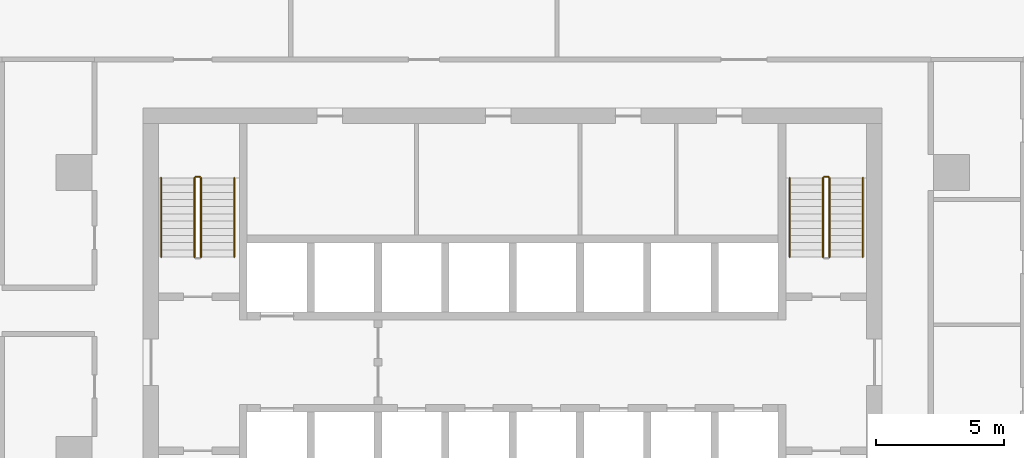
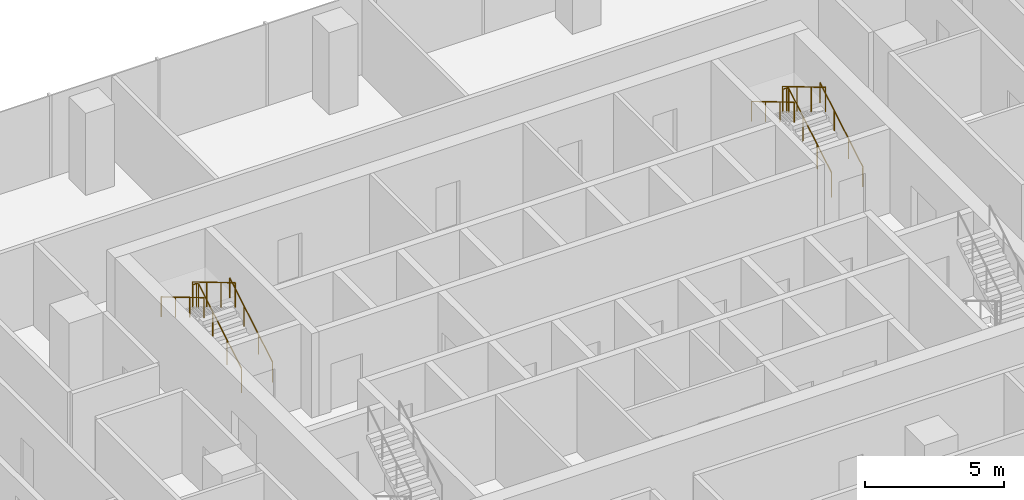
# One storey, part 15 of 15: 8 railings.
"""IFC4 building model written with IfcOpenShell, lengths in metres."""

from ifc_helpers import new_model, si_unit, direction, frame, origin, origin_2d, place, context, subcontext, project, spatial, circle, extrude, material, type_object, element, save


model = new_model("IFC4")

# Units and contexts
model_context = context("Model", 3, precision=1e-05, world=origin(), true_north=direction((0.0, 1.0)))
body_context = subcontext(model_context, "Body", "Model", "MODEL_VIEW")
ifc_project = project(units=[si_unit("LENGTHUNIT", "METRE"), si_unit("AREAUNIT", "SQUARE_METRE"), si_unit("VOLUMEUNIT", "CUBIC_METRE"), si_unit("PLANEANGLEUNIT", "RADIAN"), si_unit("MASSUNIT", "GRAM", prefix="KILO")], contexts=[model_context])

# Site, building, storey
site_placement = place(None, origin())
site = spatial("IfcSite", under=ifc_project, at=site_placement, CompositionType="ELEMENT")
building_placement = place(site_placement, origin())
building = spatial("IfcBuilding", under=site, at=building_placement, Name="Mopane Tessera Tower", CompositionType="ELEMENT")
storey_placement = place(building_placement, frame((0.0, 0.0, 177.0)))
storey = spatial("IfcBuildingStorey", under=building, at=storey_placement, Name="L36", CompositionType="ELEMENT", Elevation=177.0)

# Railings
ifc_material_1 = material(Name="Powder-coated steel balustrade", Category="steel")
railing_type_1 = type_object("IfcRailingType", Name="Escape stair guard 1100 mm", PredefinedType="GUARDRAIL", material=ifc_material_1)
railing_1_placement = place(storey_placement, frame((-12.14990234375, 7.699951171875, 0.166748046875)))
element("IfcRailing", 1, at=railing_1_placement, inside=storey, type_object=railing_type_1, Name="L36 ST2 stair guard 1", PredefinedType="GUARDRAIL", context=body_context, shape_type="SweptSolid", body=[
    extrude(circle(Radius=0.02392578125, at=origin_2d()), frame((0.0, 0.0, 1.076171875), z_axis=(0.0, 0.859308565015, 0.511457515432), x_axis=(-1.0, 0.0, 0.0)), (0.0, 0.0, 1.0), 3.58447265625),
    extrude(circle(Radius=0.02392578125, at=origin_2d()), frame((0.0, 3.080078125, 2.9091796875), z_axis=(-0.707106781187, 0.707106781187, 0.0), x_axis=(-0.707106781187, -0.707106781187, 0.0)), (0.0, 0.0, 1.0), 0.07080078125),
    extrude(circle(Radius=0.02392578125, at=origin_2d()), frame((-0.050048828125, 3.130126953125, 2.9091796875), z_axis=(-1.0, 0.0, 0.0), x_axis=(0.0, -1.0, 0.0)), (0.0, 0.0, 1.0), 0.150146484375),
    extrude(circle(Radius=0.02099609375, at=origin_2d()), origin(), (0.0, 0.0, 1.0), 1.052001953125),
    extrude(circle(Radius=0.02099609375, at=origin_2d()), frame((0.0, 1.026611328125, 0.611083984375)), (0.0, 0.0, 1.0), 1.052001953125),
    extrude(circle(Radius=0.02099609375, at=origin_2d()), frame((0.0, 2.053466796875, 1.22216796875)), (0.0, 0.0, 1.0), 1.052001953125),
    extrude(circle(Radius=0.02099609375, at=origin_2d()), frame((0.0, 3.080078125, 1.833251953125)), (0.0, 0.0, 1.0), 1.052001953125),
    extrude(circle(Radius=0.02099609375, at=origin_2d()), frame((-0.050048828125, 3.130126953125, 1.833251953125)), (0.0, 0.0, 1.0), 1.052001953125),
    extrude(circle(Radius=0.02099609375, at=origin_2d()), frame((-0.2001953125, 3.130126953125, 1.833251953125)), (0.0, 0.0, 1.0), 1.052001953125),
])
railing_2_placement = place(storey_placement, frame((-12.39990234375, 10.780029296875, 2.166748046875)))
element("IfcRailing", 2, at=railing_2_placement, inside=storey, type_object=railing_type_1, Name="L36 ST2 stair guard 2", PredefinedType="GUARDRAIL", context=body_context, shape_type="SweptSolid", body=[
    extrude(circle(Radius=0.02392578125, at=origin_2d()), frame((0.0, 0.0, 1.076171875), z_axis=(0.0, -0.859308565015, 0.511457515432), x_axis=(1.0, 0.0, 0.0)), (0.0, 0.0, 1.0), 3.58447265625),
    extrude(circle(Radius=0.02099609375, at=origin_2d()), origin(), (0.0, 0.0, 1.0), 1.052001953125),
    extrude(circle(Radius=0.02099609375, at=origin_2d()), frame((0.0, -1.026611328125, 0.611083984375)), (0.0, 0.0, 1.0), 1.052001953125),
    extrude(circle(Radius=0.02099609375, at=origin_2d()), frame((0.0, -2.053466796875, 1.22216796875)), (0.0, 0.0, 1.0), 1.052001953125),
    extrude(circle(Radius=0.02099609375, at=origin_2d()), frame((0.0, -3.080078125, 1.833251953125)), (0.0, 0.0, 1.0), 1.052001953125),
])
railing_3_placement = place(storey_placement, frame((12.35009765625, 7.699951171875, 0.166748046875)))
element("IfcRailing", 3, at=railing_3_placement, inside=storey, type_object=railing_type_1, Name="L36 ST4 stair guard 1", PredefinedType="GUARDRAIL", context=body_context, shape_type="SweptSolid", body=[
    extrude(circle(Radius=0.02392578125, at=origin_2d()), frame((0.0, 0.0, 1.076171875), z_axis=(0.0, 0.859308565015, 0.511457515432), x_axis=(-1.0, 0.0, 0.0)), (0.0, 0.0, 1.0), 3.58447265625),
    extrude(circle(Radius=0.02392578125, at=origin_2d()), frame((0.0, 3.080078125, 2.9091796875), z_axis=(-0.707106781187, 0.707106781187, 0.0), x_axis=(-0.707106781187, -0.707106781187, 0.0)), (0.0, 0.0, 1.0), 0.07080078125),
    extrude(circle(Radius=0.02392578125, at=origin_2d()), frame((-0.050048828125, 3.130126953125, 2.9091796875), z_axis=(-1.0, 0.0, 0.0), x_axis=(0.0, -1.0, 0.0)), (0.0, 0.0, 1.0), 0.150146484375),
    extrude(circle(Radius=0.02099609375, at=origin_2d()), origin(), (0.0, 0.0, 1.0), 1.052001953125),
    extrude(circle(Radius=0.02099609375, at=origin_2d()), frame((0.0, 1.026611328125, 0.611083984375)), (0.0, 0.0, 1.0), 1.052001953125),
    extrude(circle(Radius=0.02099609375, at=origin_2d()), frame((0.0, 2.053466796875, 1.22216796875)), (0.0, 0.0, 1.0), 1.052001953125),
    extrude(circle(Radius=0.02099609375, at=origin_2d()), frame((0.0, 3.080078125, 1.833251953125)), (0.0, 0.0, 1.0), 1.052001953125),
    extrude(circle(Radius=0.02099609375, at=origin_2d()), frame((-0.050048828125, 3.130126953125, 1.833251953125)), (0.0, 0.0, 1.0), 1.052001953125),
    extrude(circle(Radius=0.02099609375, at=origin_2d()), frame((-0.2001953125, 3.130126953125, 1.833251953125)), (0.0, 0.0, 1.0), 1.052001953125),
])
railing_4_placement = place(storey_placement, frame((12.10009765625, 10.780029296875, 2.166748046875)))
element("IfcRailing", 4, at=railing_4_placement, inside=storey, type_object=railing_type_1, Name="L36 ST4 stair guard 2", PredefinedType="GUARDRAIL", context=body_context, shape_type="SweptSolid", body=[
    extrude(circle(Radius=0.02392578125, at=origin_2d()), frame((0.0, 0.0, 1.076171875), z_axis=(0.0, -0.859308565015, 0.511457515432), x_axis=(1.0, 0.0, 0.0)), (0.0, 0.0, 1.0), 3.58447265625),
    extrude(circle(Radius=0.02099609375, at=origin_2d()), origin(), (0.0, 0.0, 1.0), 1.052001953125),
    extrude(circle(Radius=0.02099609375, at=origin_2d()), frame((0.0, -1.026611328125, 0.611083984375)), (0.0, 0.0, 1.0), 1.052001953125),
    extrude(circle(Radius=0.02099609375, at=origin_2d()), frame((0.0, -2.053466796875, 1.22216796875)), (0.0, 0.0, 1.0), 1.052001953125),
    extrude(circle(Radius=0.02099609375, at=origin_2d()), frame((0.0, -3.080078125, 1.833251953125)), (0.0, 0.0, 1.0), 1.052001953125),
])
ifc_material_2 = material(Name="Powder-coated steel balustrade", Category="steel")
railing_type_2 = type_object("IfcRailingType", Name="Escape stair handrail 900 mm", PredefinedType="HANDRAIL", material=ifc_material_2)
railing_5_placement = place(storey_placement, frame((-10.85009765625, 7.699951171875, 0.166748046875)))
element("IfcRailing", 5, at=railing_5_placement, inside=storey, type_object=railing_type_2, Name="L36 ST2 stair handrail 1", PredefinedType="HANDRAIL", context=body_context, shape_type="SweptSolid", body=[
    extrude(circle(Radius=0.02392578125, at=origin_2d()), frame((0.0, 0.0, 0.8759765625), z_axis=(0.0, 0.859308565015, 0.511457515432), x_axis=(-1.0, 0.0, 0.0)), (0.0, 0.0, 1.0), 3.58447265625),
    extrude(circle(Radius=0.02099609375, at=origin_2d()), origin(), (0.0, 0.0, 1.0), 0.851806640625),
    extrude(circle(Radius=0.02099609375, at=origin_2d()), frame((0.0, 1.026611328125, 0.611083984375)), (0.0, 0.0, 1.0), 0.851806640625),
    extrude(circle(Radius=0.02099609375, at=origin_2d()), frame((0.0, 2.053466796875, 1.22216796875)), (0.0, 0.0, 1.0), 0.851806640625),
    extrude(circle(Radius=0.02099609375, at=origin_2d()), frame((0.0, 3.080078125, 1.833251953125)), (0.0, 0.0, 1.0), 0.851806640625),
])
railing_6_placement = place(storey_placement, frame((-13.699951171875, 10.780029296875, 2.166748046875)))
element("IfcRailing", 6, at=railing_6_placement, inside=storey, type_object=railing_type_2, Name="L36 ST2 stair handrail 2", PredefinedType="HANDRAIL", context=body_context, shape_type="SweptSolid", body=[
    extrude(circle(Radius=0.02392578125, at=origin_2d()), frame((0.0, 0.0, 0.8759765625), z_axis=(0.0, -0.859308565015, 0.511457515432), x_axis=(1.0, 0.0, 0.0)), (0.0, 0.0, 1.0), 3.58447265625),
    extrude(circle(Radius=0.02099609375, at=origin_2d()), origin(), (0.0, 0.0, 1.0), 0.851806640625),
    extrude(circle(Radius=0.02099609375, at=origin_2d()), frame((0.0, -1.026611328125, 0.611083984375)), (0.0, 0.0, 1.0), 0.851806640625),
    extrude(circle(Radius=0.02099609375, at=origin_2d()), frame((0.0, -2.053466796875, 1.22216796875)), (0.0, 0.0, 1.0), 0.851806640625),
    extrude(circle(Radius=0.02099609375, at=origin_2d()), frame((0.0, -3.080078125, 1.833251953125)), (0.0, 0.0, 1.0), 0.851806640625),
])
railing_7_placement = place(storey_placement, frame((13.64990234375, 7.699951171875, 0.166748046875)))
element("IfcRailing", 7, at=railing_7_placement, inside=storey, type_object=railing_type_2, Name="L36 ST4 stair handrail 1", PredefinedType="HANDRAIL", context=body_context, shape_type="SweptSolid", body=[
    extrude(circle(Radius=0.02392578125, at=origin_2d()), frame((0.0, 0.0, 0.8759765625), z_axis=(0.0, 0.859308565015, 0.511457515432), x_axis=(-1.0, 0.0, 0.0)), (0.0, 0.0, 1.0), 3.58447265625),
    extrude(circle(Radius=0.02099609375, at=origin_2d()), origin(), (0.0, 0.0, 1.0), 0.851806640625),
    extrude(circle(Radius=0.02099609375, at=origin_2d()), frame((0.0, 1.026611328125, 0.611083984375)), (0.0, 0.0, 1.0), 0.851806640625),
    extrude(circle(Radius=0.02099609375, at=origin_2d()), frame((0.0, 2.053466796875, 1.22216796875)), (0.0, 0.0, 1.0), 0.851806640625),
    extrude(circle(Radius=0.02099609375, at=origin_2d()), frame((0.0, 3.080078125, 1.833251953125)), (0.0, 0.0, 1.0), 0.851806640625),
])
railing_8_placement = place(storey_placement, frame((10.800048828125, 10.780029296875, 2.166748046875)))
element("IfcRailing", 8, at=railing_8_placement, inside=storey, type_object=railing_type_2, Name="L36 ST4 stair handrail 2", PredefinedType="HANDRAIL", context=body_context, shape_type="SweptSolid", body=[
    extrude(circle(Radius=0.02392578125, at=origin_2d()), frame((0.0, 0.0, 0.8759765625), z_axis=(0.0, -0.859308565015, 0.511457515432), x_axis=(1.0, 0.0, 0.0)), (0.0, 0.0, 1.0), 3.58447265625),
    extrude(circle(Radius=0.02099609375, at=origin_2d()), origin(), (0.0, 0.0, 1.0), 0.851806640625),
    extrude(circle(Radius=0.02099609375, at=origin_2d()), frame((0.0, -1.026611328125, 0.611083984375)), (0.0, 0.0, 1.0), 0.851806640625),
    extrude(circle(Radius=0.02099609375, at=origin_2d()), frame((0.0, -2.053466796875, 1.22216796875)), (0.0, 0.0, 1.0), 0.851806640625),
    extrude(circle(Radius=0.02099609375, at=origin_2d()), frame((0.0, -3.080078125, 1.833251953125)), (0.0, 0.0, 1.0), 0.851806640625),
])

save(model, "model.ifc")
